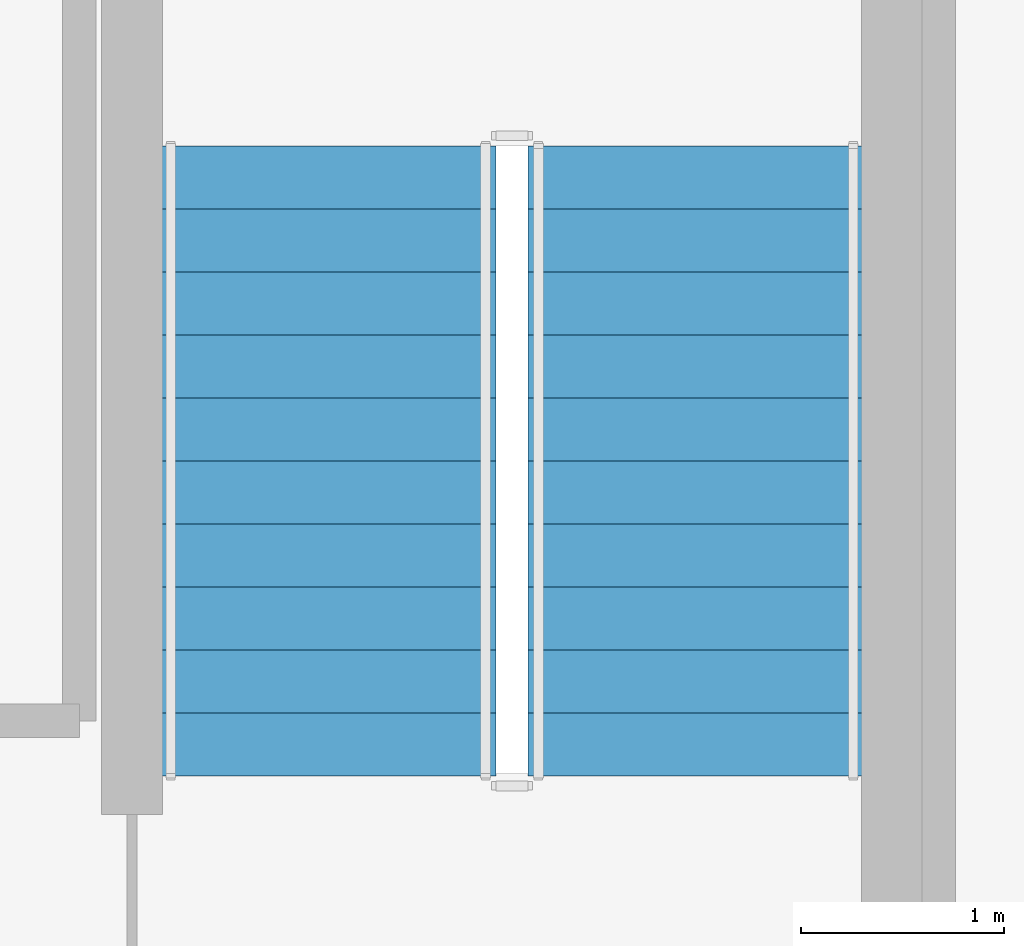
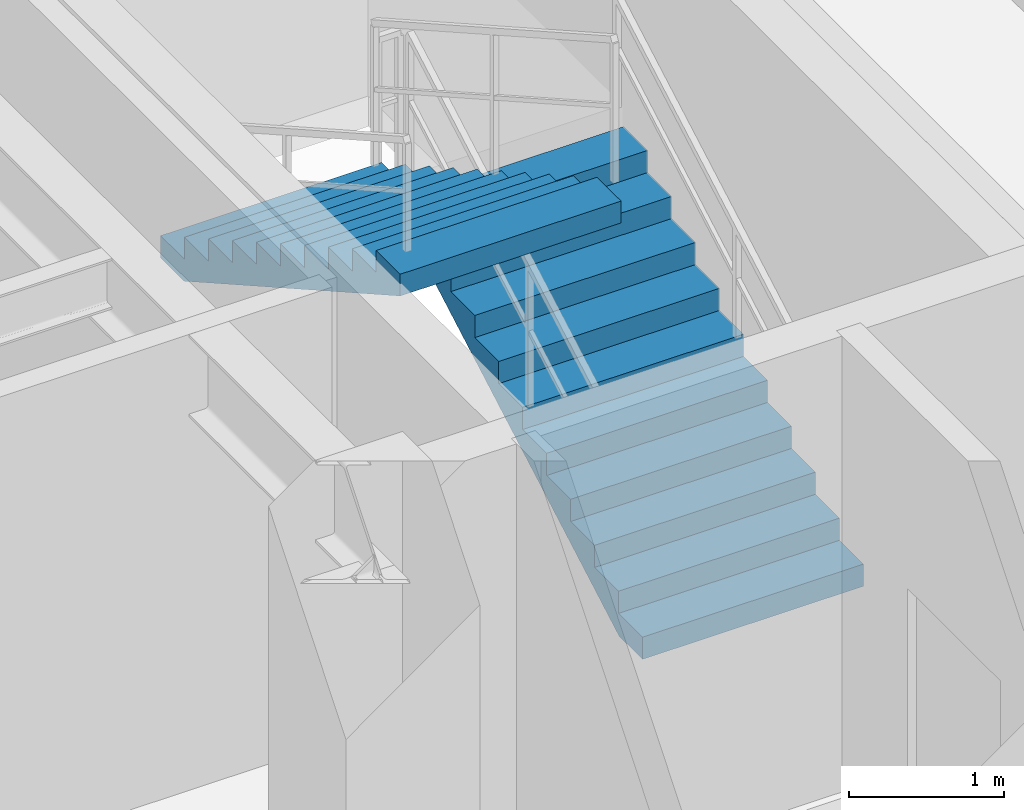
# One storey, part 7 of 11: 2 stair flights, 1 element without a shape of its own.
"""IFC4 building model written with IfcOpenShell, lengths in metres."""

from ifc_helpers import new_model, si_unit, direction, frame, origin, place, context, subcontext, project, spatial, polyline, outline, extrude, material, type_object, element, aggregate, save


model = new_model("IFC4")

# Units and contexts
model_context = context("Model", 3, precision=1e-05, world=origin(), true_north=direction((0.0, 1.0)))
body_context = subcontext(model_context, "Body", "Model", "MODEL_VIEW")
ifc_project = project(units=[si_unit("LENGTHUNIT", "METRE"), si_unit("AREAUNIT", "SQUARE_METRE"), si_unit("VOLUMEUNIT", "CUBIC_METRE"), si_unit("PLANEANGLEUNIT", "RADIAN"), si_unit("MASSUNIT", "GRAM", prefix="KILO")], contexts=[model_context])

# Site, building, storey
site_placement = place(None, origin())
site = spatial("IfcSite", under=ifc_project, at=site_placement, CompositionType="ELEMENT")
building_placement = place(site_placement, origin())
building = spatial("IfcBuilding", under=site, at=building_placement, Name="Kundavana Baori Tower", CompositionType="ELEMENT")
storey_placement = place(building_placement, frame((0.0, 0.0, 142.5)))
storey = spatial("IfcBuildingStorey", under=building, at=storey_placement, Name="L34", CompositionType="ELEMENT", Elevation=142.5)

# Stair, stair flights
ifc_material_1 = material(Name="Concrete C40/50", Category="concrete")
stair_type = type_object("IfcStairType", Name="STR-DOG-1650", PredefinedType="HALF_TURN_STAIR", material=ifc_material_1)
stair_placement = place(storey_placement, origin())
stair = element("IfcStair", 1, at=stair_placement, inside=storey, type_object=stair_type, Name="L34 Protected Exit Stair ST3", PredefinedType="HALF_TURN_STAIR")
ifc_material_2 = material(Name="Concrete C40/50", Category="concrete")
stair_flight_type = type_object("IfcStairFlightType", Name="SFL-RC-1650", PredefinedType="STRAIGHT", material=ifc_material_2)
stair_flight_1_placement = place(storey_placement, frame((37.7548828125, 34.949951171875, 0.0), z_axis=(0.0, 0.0, 1.0), x_axis=(0.0, 1.0, 0.0)))
stair_flight_1 = element("IfcStairFlight", 2, at=stair_flight_1_placement, type_object=stair_flight_type, Name="ST3 flight 1", NumberOfRisers=11, NumberOfTreads=10, PredefinedType="STRAIGHT", RiserHeight=0.175, TreadLength=0.31, context=body_context, shape_type="SweptSolid", body=[
    extrude(outline(polyline([(0.0, 0.0), (0.0, 0.175048828125), (0.31005859375, 0.175048828125), (0.31005859375, 0.35009765625), (0.6201171875, 0.35009765625), (0.6201171875, 0.52490234375), (0.929931640625, 0.52490234375), (0.929931640625, 0.699951171875), (1.239990234375, 0.699951171875), (1.239990234375, 0.875), (1.550048828125, 0.875), (1.550048828125, 1.050048828125), (1.860107421875, 1.050048828125), (1.860107421875, 1.22509765625), (2.169921875, 1.22509765625), (2.169921875, 1.39990234375), (2.47998046875, 1.39990234375), (2.47998046875, 1.574951171875), (2.7900390625, 1.574951171875), (2.7900390625, 1.75), (3.10009765625, 1.75), (3.10009765625, 1.925048828125), (3.10009765625, 1.577880859375), (0.304931640625, 0.0), (0.0, 0.0)])), frame((0.0, 0.824951171875, 0.0), z_axis=(0.0, -1.0, 0.0), x_axis=(1.0, 0.0, 0.0)), (0.0, 0.0, 1.0), 1.64990234375),
])
stair_flight_2_placement = place(storey_placement, frame((35.945068359375, 38.050048828125, 1.925048828125), z_axis=(0.0, 0.0, 1.0), x_axis=(0.0, -1.0, 0.0)))
stair_flight_2 = element("IfcStairFlight", 3, at=stair_flight_2_placement, type_object=stair_flight_type, Name="ST3 flight 2", NumberOfRisers=11, NumberOfTreads=10, PredefinedType="STRAIGHT", RiserHeight=0.175, TreadLength=0.31, context=body_context, shape_type="SweptSolid", body=[
    extrude(outline(polyline([(0.0, 0.0), (0.0, 0.175048828125), (0.31005859375, 0.175048828125), (0.31005859375, 0.35009765625), (0.6201171875, 0.35009765625), (0.6201171875, 0.52490234375), (0.929931640625, 0.52490234375), (0.929931640625, 0.699951171875), (1.239990234375, 0.699951171875), (1.239990234375, 0.875), (1.550048828125, 0.875), (1.550048828125, 1.050048828125), (1.860107421875, 1.050048828125), (1.860107421875, 1.22509765625), (2.169921875, 1.22509765625), (2.169921875, 1.39990234375), (2.47998046875, 1.39990234375), (2.47998046875, 1.574951171875), (2.7900390625, 1.574951171875), (2.7900390625, 1.75), (3.10009765625, 1.75), (3.10009765625, 1.925048828125), (3.10009765625, 1.577880859375), (0.304931640625, 0.0), (0.0, 0.0)])), frame((0.0, 0.824951171875, 0.0), z_axis=(0.0, -1.0, 0.0), x_axis=(1.0, 0.0, 0.0)), (0.0, 0.0, 1.0), 1.64990234375),
])
aggregate(stair, [stair_flight_1, stair_flight_2])

save(model, "model.ifc")
